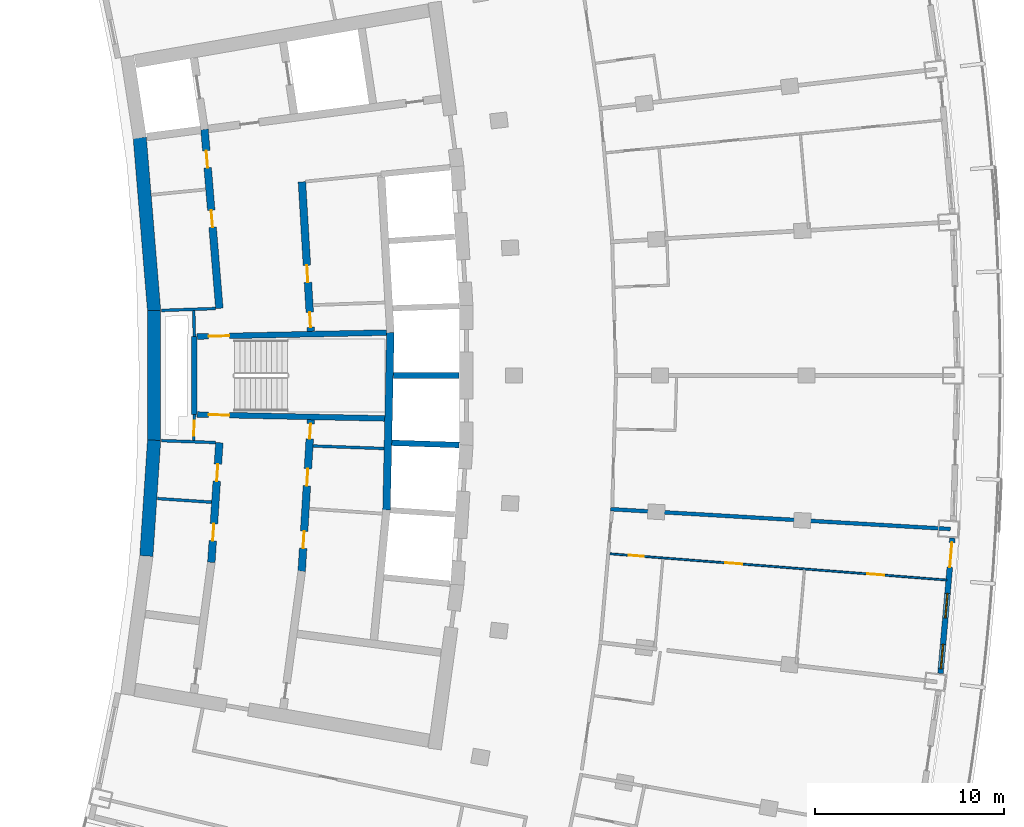
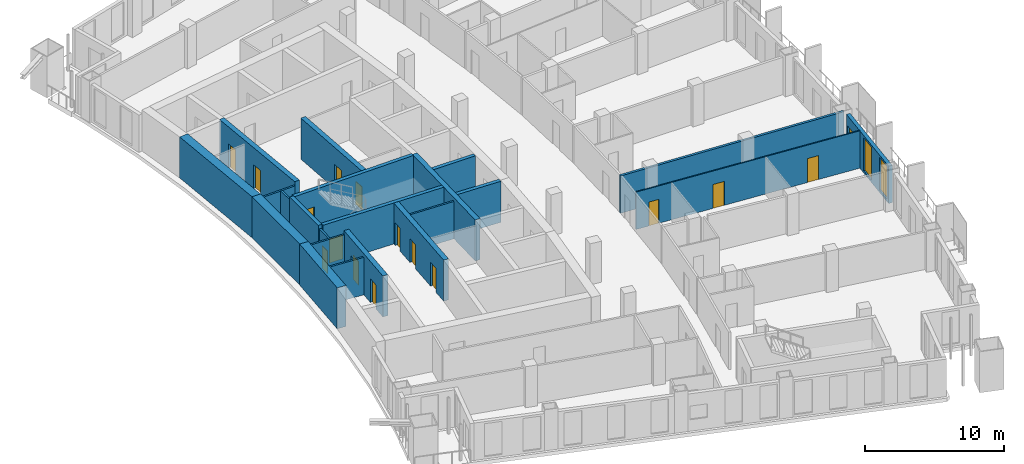
# One storey, part 12 of 19: 22 walls, 16 doors, 2 windows, 18 openings.
"""IFC4 building model written with IfcOpenShell, lengths in metres."""

import ifcopenshell
import ifcopenshell.guid

model = None  # the IFC model being written
_history = None  # IfcOwnerHistory: only IFC2X3 demands one
_inside = {}  # id of a spatial element -> (the spatial element, [elements in it])
_under = {}  # id of a project, library or spatial element -> (it, [spatial elements below it])
_declared = {}  # id of a project -> (the project, [libraries it declares])
_typed = {}  # id of a type object -> (the type object, [elements of that type])
_made_of = {}  # id of a material, layer set ... -> (it, [elements and type objects made of it])


def new_model(schema):
    """Start an empty IFC model of exactly this schema.

    Asked for "IFC4X3", IfcOpenShell would pick the latest addendum, in which some entities
    have other attributes; the version numbers below select the first issue.
    IFC2X3 requires an IfcOwnerHistory on every rooted entity: one is made here for all.
    """
    global model, _history
    if schema == "IFC4X3":
        model = ifcopenshell.file(schema_version=(4, 3, 0, 0))
    else:
        model = ifcopenshell.file(schema=schema)
    _inside.clear()
    _under.clear()
    _declared.clear()
    _typed.clear()
    _made_of.clear()
    _history = None
    if model.schema == "IFC2X3":
        org = make("IfcOrganization", Name="unknown")
        user = make(
            "IfcPersonAndOrganization",
            ThePerson=make("IfcPerson", FamilyName="unknown"),
            TheOrganization=org,
        )
        app = make(
            "IfcApplication",
            ApplicationDeveloper=org,
            Version="unknown",
            ApplicationFullName="unknown",
            ApplicationIdentifier="unknown",
        )
        _history = make(
            "IfcOwnerHistory",
            OwningUser=user,
            OwningApplication=app,
            ChangeAction="ADDED",
            CreationDate=0,
        )
    return model


def make(cls, **values):
    """One entity of the class cls with the attributes given. An attribute that is None is left unset."""
    return model.create_entity(
        cls, **{name: value for name, value in values.items() if value is not None}
    )


def rooted(cls, **values):
    """An entity with a GlobalId (a new one), such as an element, a storey or a relation."""
    return make(cls, GlobalId=ifcopenshell.guid.new(), OwnerHistory=_history, **values)


def si_unit(unit_type, name, prefix=None):
    """IfcSIUnit, for example si_unit("LENGTHUNIT", "METRE", prefix="MILLI")."""
    return make("IfcSIUnit", UnitType=unit_type, Prefix=prefix, Name=name)


def assignment(units):
    """IfcUnitAssignment: the units of a project."""
    return None if units is None else make("IfcUnitAssignment", Units=units)


def point(xyz):
    """IfcCartesianPoint."""
    return None if xyz is None else make("IfcCartesianPoint", Coordinates=xyz)


def direction(xyz):
    """IfcDirection."""
    return None if xyz is None else make("IfcDirection", DirectionRatios=xyz)


def frame(location, z_axis=None, x_axis=None):
    """IfcAxis2Placement3D, a coordinate frame: its origin and axes. An axis left out is left unset."""
    return make(
        "IfcAxis2Placement3D",
        Location=point(location),
        Axis=direction(z_axis),
        RefDirection=direction(x_axis),
    )


def frame_2d(location, x_axis=None):
    """IfcAxis2Placement2D, a coordinate frame in the plane: its origin and x axis."""
    return make(
        "IfcAxis2Placement2D", Location=point(location), RefDirection=direction(x_axis)
    )


def origin():
    """The frame at (0, 0, 0) with its axes left unset."""
    return frame((0.0, 0.0, 0.0))


def place(relative_to, where):
    """IfcLocalPlacement: puts the frame where relative to a parent placement (None: the world)."""
    return make(
        "IfcLocalPlacement", PlacementRelTo=relative_to, RelativePlacement=where
    )


def context(
    kind, dimensions, precision=None, world=None, true_north=None, identifier=None
):
    """IfcGeometricRepresentationContext, for example the 3D "Model" context."""
    return make(
        "IfcGeometricRepresentationContext",
        ContextIdentifier=identifier,
        ContextType=kind,
        CoordinateSpaceDimension=dimensions,
        Precision=precision,
        WorldCoordinateSystem=world,
        TrueNorth=true_north,
    )


def subcontext(parent, identifier, kind, view, scale=None):
    """IfcGeometricRepresentationSubContext, for example "Body" below "Model"."""
    return make(
        "IfcGeometricRepresentationSubContext",
        ContextIdentifier=identifier,
        ContextType=kind,
        ParentContext=parent,
        TargetScale=scale,
        TargetView=view,
    )


def project(units=None, contexts=None):
    """IfcProject with its units and contexts."""
    return rooted(
        "IfcProject",
        Name="project",
        RepresentationContexts=contexts,
        UnitsInContext=assignment(units),
    )


def spatial(cls, under=None, at=None, **own):
    """A site, building, storey or space (cls), placed at a placement, below another one or the project."""
    s = rooted(cls, ObjectPlacement=at, **own)
    if under is not None:
        _under.setdefault(under.id(), (under, []))[1].append(s)
    return s


def profile(cls, at=None, kind="AREA", **sizes):
    """A parametric profile (cls). Its sizes go by their IFC names, for example OverallWidth=200.0."""
    return make(cls, ProfileType=kind, Position=at, **sizes)


def rectangle(**sizes):
    """IfcRectangleProfileDef."""
    return profile("IfcRectangleProfileDef", **sizes)


def extrude(swept, where, along, depth):
    """IfcExtrudedAreaSolid: the profile swept, set in the frame where, extruded along a direction by depth."""
    return make(
        "IfcExtrudedAreaSolid",
        SweptArea=swept,
        Position=where,
        ExtrudedDirection=direction(along),
        Depth=depth,
    )


def shape(context_of_items, identifier, shape_type, items):
    """IfcShapeRepresentation: the items that make up one representation, for example the "Body"."""
    return make(
        "IfcShapeRepresentation",
        ContextOfItems=context_of_items,
        RepresentationIdentifier=identifier,
        RepresentationType=shape_type,
        Items=items,
    )


def material(Name=None, Category=None):
    """IfcMaterial."""
    return make("IfcMaterial", Name=Name, Category=Category)


def layer(
    of_material, thickness, ventilated=None, Name=None, Category=None, Priority=None
):
    """IfcMaterialLayer: one layer of a wall or slab, of a material (None: an air gap)."""
    return make(
        "IfcMaterialLayer",
        Material=of_material,
        LayerThickness=thickness,
        IsVentilated=ventilated,
        Name=Name,
        Category=Category,
        Priority=Priority,
    )


def layer_set(layers, Name=None):
    """IfcMaterialLayerSet."""
    return make("IfcMaterialLayerSet", MaterialLayers=layers, LayerSetName=Name)


def made_of(thing, what):
    """Note that an element or type object is made of a material, layer set ...; save() writes the relation."""
    if what is not None:
        _made_of.setdefault(what.id(), (what, []))[1].append(thing)
    return thing


def type_object(cls, material=None, **own):
    """A type object (cls), such as IfcWallType, which elements share."""
    return made_of(rooted(cls, **own), material)


def element(
    cls,
    number,
    at=None,
    inside=None,
    cuts=None,
    type_object=None,
    material=None,
    context=None,
    identifier="Body",
    shape_type=None,
    held_by="IfcProductDefinitionShape",
    body=None,
    shapes=None,
    **own,
):
    """One element of the class cls, such as IfcWall. Its Tag is "e" and its number.

    at: its placement. inside: the storey or other place that contains it. cuts: it is an
    opening in that element (IfcRelVoidsElement). A single representation is given by context,
    identifier, shape_type and body (its items); several are given by shapes. held_by: the class
    of the entity that holds the representations. save() writes the other relations.
    """
    e = rooted(cls, Tag="e%d" % number, ObjectPlacement=at, **own)
    if body is not None:
        shapes = [shape(context, identifier, shape_type, body)]
    if shapes is not None:
        e.Representation = make(held_by, Representations=shapes)
    if inside is not None:
        _inside.setdefault(inside.id(), (inside, []))[1].append(e)
    if cuts is not None:
        rooted(
            "IfcRelVoidsElement", RelatingBuildingElement=cuts, RelatedOpeningElement=e
        )
    if type_object is not None:
        _typed.setdefault(type_object.id(), (type_object, []))[1].append(e)
    return made_of(e, material)


def fill(opening, filler):
    """IfcRelFillsElement: the door or window that sits in an opening."""
    return rooted(
        "IfcRelFillsElement",
        RelatingOpeningElement=opening,
        RelatedBuildingElement=filler,
    )


def aggregate(whole, parts):
    """IfcRelAggregates: a whole, such as a stair, and the parts it consists of."""
    return rooted("IfcRelAggregates", RelatingObject=whole, RelatedObjects=parts)


def save(model, path):
    """Write the relations noted so far, then the file.

    IfcRelAggregates (storeys below a building ...), IfcRelContainedInSpatialStructure (elements
    in a storey), IfcRelDefinesByType, IfcRelAssociatesMaterial and IfcRelDeclares: one each for
    every whole, place, type object, material and project.
    """
    for whole, parts in _under.values():
        aggregate(whole, parts)
    for where, things in _inside.values():
        rooted(
            "IfcRelContainedInSpatialStructure",
            RelatedElements=things,
            RelatingStructure=where,
        )
    for kind, things in _typed.values():
        rooted("IfcRelDefinesByType", RelatedObjects=things, RelatingType=kind)
    for what, things in _made_of.values():
        rooted("IfcRelAssociatesMaterial", RelatedObjects=things, RelatingMaterial=what)
    for by, libraries in _declared.values():
        rooted("IfcRelDeclares", RelatingContext=by, RelatedDefinitions=libraries)
    model.write(path)


model = new_model("IFC4")

# Units and contexts
model_context = context("Model", 3, precision=1e-05, world=origin(), true_north=direction((0.0, 1.0)))
body_context = subcontext(model_context, "Body", "Model", "MODEL_VIEW")
ifc_project = project(units=[si_unit("LENGTHUNIT", "METRE"), si_unit("AREAUNIT", "SQUARE_METRE"), si_unit("VOLUMEUNIT", "CUBIC_METRE"), si_unit("PLANEANGLEUNIT", "RADIAN"), si_unit("MASSUNIT", "GRAM", prefix="KILO")], contexts=[model_context])

# Site, building, storey
site_placement = place(None, origin())
site = spatial("IfcSite", under=ifc_project, at=site_placement, CompositionType="ELEMENT")
building_placement = place(site_placement, origin())
building = spatial("IfcBuilding", under=site, at=building_placement, Name="Alderwake Tower", CompositionType="ELEMENT")
storey_placement = place(building_placement, frame((0.0, 0.0, 174.800048828125)))
storey = spatial("IfcBuildingStorey", under=building, at=storey_placement, Name="L43", CompositionType="ELEMENT", Elevation=174.800048828125)

# Wall
ifc_material_1 = material(Name="Gypsum shaft wall system, rated")
ifc_layer_1 = layer(ifc_material_1, 0.14990234375)
ifc_layer_set_1 = layer_set([ifc_layer_1], Name="Core riser partition 150")
wall_type_1 = type_object("IfcWallType", Name="Core riser partition 150", PredefinedType="PARTITIONING", material=ifc_layer_set_1)
wall_1_placement = place(storey_placement, frame((25.1904296875, 57.276611328125, 0.0), z_axis=(0.0, 0.0, 1.0), x_axis=(0.99937350076, -0.035392173974, 0.0)))
element("IfcWall", 1, at=wall_1_placement, inside=storey, type_object=wall_type_1, Name="CW/L43/PR-37_+86", PredefinedType="PARTITIONING", context=body_context, shape_type="SweptSolid", body=[
    extrude(rectangle(XDim=3.752685546875, YDim=0.14990234375, at=frame_2d((1.87646484375, 0.0))), origin(), (0.0, 0.0, 1.0), 3.280029296875),
])

# Wall, opening, door
ifc_material_2 = material(Name="Gypsum shaft wall system, rated")
ifc_layer_2 = layer(ifc_material_2, 0.14990234375)
ifc_layer_set_2 = layer_set([ifc_layer_2], Name="Core room partition 150")
wall_type_2 = type_object("IfcWallType", Name="Core room partition 150", PredefinedType="PARTITIONING", material=ifc_layer_set_2)
wall_2_placement = place(storey_placement, frame((18.918701171875, 58.94384765625, 0.0), z_axis=(0.0, 0.0, 1.0), x_axis=(-0.027811602725, -0.999613182563, 0.0)))
wall_2 = element("IfcWall", 2, at=wall_2_placement, inside=storey, type_object=wall_type_2, Name="CW/L43/PA+24_-37", PredefinedType="PARTITIONING", context=body_context, shape_type="SweptSolid", body=[
    extrude(rectangle(XDim=1.369384765625, YDim=0.14990234375, at=frame_2d((0.6845703125, 0.0))), origin(), (0.0, 0.0, 1.0), 3.280029296875),
])
opening_1_placement = place(wall_2_placement, frame((0.322998046875, 0.0, 0.0)))
opening_1 = element("IfcOpeningElement", 3, at=opening_1_placement, cuts=wall_2, Name="Opening C004", PredefinedType="OPENING", context=body_context, shape_type="SweptSolid", body=[
    extrude(rectangle(XDim=0.800048828125, YDim=2.0, at=frame_2d((0.39990234375, 1.0))), frame((0.0, 0.0849609375, 0.0), z_axis=(0.0, -1.0, 0.0), x_axis=(1.0, 0.0, 0.0)), (0.0, 0.0, 1.0), 0.169921875),
])
ifc_material_3 = material(Name="Painted steel leaf, rated", Category="steel")
door_type_1 = type_object("IfcDoorType", Name="Riser access door 800", OperationType="SINGLE_SWING_LEFT", PredefinedType="DOOR", material=ifc_material_3)
door_1_placement = place(opening_1_placement, origin())
door_1 = element("IfcDoor", 4, at=door_1_placement, inside=storey, type_object=door_type_1, Name="Riser access door", OperationType="SINGLE_SWING_RIGHT", OverallHeight=2.0, OverallWidth=0.800048828125, PredefinedType="DOOR", context=body_context, shape_type="SweptSolid", body=[
    extrude(rectangle(XDim=0.800048828125, YDim=2.0, at=frame_2d((0.39990234375, 1.0))), frame((0.0, 0.02490234375, 0.0), z_axis=(0.0, -1.0, 0.0), x_axis=(1.0, 0.0, 0.0)), (0.0, 0.0, 1.0), 0.050048828125),
])
fill(opening_1, door_1)

# Walls
wall_3_placement = place(storey_placement, frame((18.918701171875, 63.05517578125, 0.0), z_axis=(0.0, 0.0, 1.0), x_axis=(-0.027791791559, 0.99961373356, 0.0)))
element("IfcWall", 5, at=wall_3_placement, inside=storey, type_object=wall_type_2, Name="CW/L43/PA+24_+22", PredefinedType="PARTITIONING", context=body_context, shape_type="SweptSolid", body=[
    extrude(rectangle(XDim=1.370361328125, YDim=0.14990234375, at=frame_2d((0.68505859375, 0.0))), origin(), (0.0, 0.0, 1.0), 3.280029296875),
])
wall_4_placement = place(storey_placement, frame((16.964111328125, 54.49951171875, 0.0), z_axis=(0.0, 0.0, 1.0), x_axis=(0.997759473015, -0.066903168895, 0.0)))
element("IfcWall", 6, at=wall_4_placement, inside=storey, type_object=wall_type_2, Name="CW/L43/PR-70_+0", PredefinedType="PARTITIONING", context=body_context, shape_type="SweptSolid", body=[
    extrude(rectangle(XDim=2.8681640625, YDim=0.14990234375, at=frame_2d((1.43408203125, 0.0))), origin(), (0.0, 0.0, 1.0), 3.280029296875),
])
wall_5_placement = place(storey_placement, frame((17.169189453125, 57.560546875, 0.0), z_axis=(0.0, 0.0, 1.0), x_axis=(0.999373538371, -0.03539111194, 0.0)))
element("IfcWall", 7, at=wall_5_placement, inside=storey, type_object=wall_type_2, Name="CW/L43/PR-37_+0", PredefinedType="PARTITIONING", context=body_context, shape_type="SweptSolid", body=[
    extrude(rectangle(XDim=2.86962890625, YDim=0.14990234375, at=frame_2d((1.434814453125, 0.0))), origin(), (0.0, 0.0, 1.0), 3.280029296875),
])
wall_6_placement = place(storey_placement, frame((17.16943359375, 64.439453125, 0.0), z_axis=(0.0, 0.0, 1.0), x_axis=(0.999373431798, 0.035394121201, 0.0)))
element("IfcWall", 8, at=wall_6_placement, inside=storey, type_object=wall_type_2, Name="CW/L43/PR+37_+0", PredefinedType="PARTITIONING", context=body_context, shape_type="SweptSolid", body=[
    extrude(rectangle(XDim=2.869384765625, YDim=0.14990234375, at=frame_2d((1.4345703125, 0.0))), origin(), (0.0, 0.0, 1.0), 3.280029296875),
])
ifc_material_4 = material(Name="Concrete C70/85", Category="concrete")
ifc_layer_3 = layer(ifc_material_4, 0.699951171875)
ifc_layer_set_3 = layer_set([ifc_layer_3], Name="Core wall outer 700 C70-85")
wall_type_3 = type_object("IfcWallType", Name="Core wall outer 700 C70-85", PredefinedType="SHEAR", material=ifc_layer_set_3)
wall_7_placement = place(storey_placement, frame((16.379638671875, 51.46337890625, 0.0), z_axis=(0.0, 0.0, 1.0), x_axis=(0.066917731608, 0.997758496429, 0.0)))
element("IfcWall", 9, at=wall_7_placement, inside=storey, type_object=wall_type_3, Name="Core wall CW.041", PredefinedType="SHEAR", context=body_context, shape_type="SweptSolid", body=[
    extrude(rectangle(XDim=6.136474609375, YDim=0.699951171875, at=frame_2d((3.068359375, 0.0))), origin(), (0.0, 0.0, 1.0), 3.599853515625),
])
wall_8_placement = place(storey_placement, frame((16.789306640625, 57.561767578125, 0.0), z_axis=(0.0, 0.0, 1.0), x_axis=(0.0, 1.0, 0.0)))
element("IfcWall", 10, at=wall_8_placement, inside=storey, type_object=wall_type_3, Name="Core wall CW.043", PredefinedType="SHEAR", context=body_context, shape_type="SweptSolid", body=[
    extrude(rectangle(XDim=6.87939453125, YDim=0.699951171875, at=frame_2d((3.439697265625, 0.0))), origin(), (0.0, 0.0, 1.0), 3.599853515625),
])
wall_9_placement = place(storey_placement, frame((16.79052734375, 64.4111328125, 0.0), z_axis=(0.0, 0.0, 1.0), x_axis=(-0.082616907099, 0.996581379849, 0.0)))
element("IfcWall", 11, at=wall_9_placement, inside=storey, type_object=wall_type_3, Name="Core wall CW.040", PredefinedType="SHEAR", context=body_context, shape_type="SweptSolid", body=[
    extrude(rectangle(XDim=9.193359375, YDim=0.699951171875, at=frame_2d((4.5966796875, 0.0))), origin(), (0.0, 0.0, 1.0), 3.599853515625),
])
ifc_material_5 = material(Name="Concrete C70/85", Category="concrete")
ifc_layer_4 = layer(ifc_material_5, 0.300048828125)
ifc_layer_set_4 = layer_set([ifc_layer_4], Name="Core wall shaft 300 C70-85")
wall_type_4 = type_object("IfcWallType", Name="Core wall shaft 300 C70-85", PredefinedType="SHEAR", material=ifc_layer_set_4)
wall_10_placement = place(storey_placement, frame((29.347412109375, 57.443603515625, 0.0), z_axis=(0.0, 0.0, 1.0), x_axis=(0.999470674121, -0.03253262319, 0.0)))
element("IfcWall", 12, at=wall_10_placement, inside=storey, type_object=wall_type_4, Name="Core wall CW.075", PredefinedType="SHEAR", context=body_context, shape_type="SweptSolid", body=[
    extrude(rectangle(XDim=3.564697265625, YDim=0.300048828125, at=frame_2d((1.7822265625, 0.0))), origin(), (0.0, 0.0, 1.0), 3.599853515625),
])
wall_11_placement = place(storey_placement, frame((29.426025390625, 61.0, 0.0), z_axis=(0.0, 0.0, 1.0), x_axis=(1.0, 0.0, 0.0)))
element("IfcWall", 13, at=wall_11_placement, inside=storey, type_object=wall_type_4, Name="Core wall CW.048", PredefinedType="SHEAR", context=body_context, shape_type="SweptSolid", body=[
    extrude(rectangle(XDim=3.484130859375, YDim=0.300048828125, at=frame_2d((1.7421875, 0.0))), origin(), (0.0, 0.0, 1.0), 3.599853515625),
])

# Wall, openings, doors
ifc_material_6 = material(Name="Concrete C70/85", Category="concrete")
ifc_layer_5 = layer(ifc_material_6, 0.39990234375)
ifc_layer_set_5 = layer_set([ifc_layer_5], Name="Core wall spine 400 C70-85")
wall_type_5 = type_object("IfcWallType", Name="Core wall spine 400 C70-85", PredefinedType="SHEAR", material=ifc_layer_set_5)
wall_12_placement = place(storey_placement, frame((20.2373046875, 57.451904296875, 0.0), z_axis=(0.0, 0.0, 1.0), x_axis=(-0.066887252767, -0.997760540118, 0.0)))
wall_12 = element("IfcWall", 14, at=wall_12_placement, inside=storey, type_object=wall_type_5, Name="Core wall CW.032", PredefinedType="SHEAR", context=body_context, shape_type="SweptSolid", body=[
    extrude(rectangle(XDim=6.33642578125, YDim=0.39990234375, at=frame_2d((3.168212890625, 0.0))), origin(), (0.0, 0.0, 1.0), 3.599853515625),
])
opening_2_placement = place(wall_12_placement, frame((4.29736328125, 0.0, 0.0)))
opening_2 = element("IfcOpeningElement", 15, at=opening_2_placement, cuts=wall_12, Name="Opening C038", PredefinedType="OPENING", context=body_context, shape_type="SweptSolid", body=[
    extrude(rectangle(XDim=0.89990234375, YDim=2.10009765625, at=frame_2d((0.449951171875, 1.050048828125))), frame((0.0, 0.2099609375, 0.0), z_axis=(0.0, -1.0, 0.0), x_axis=(1.0, 0.0, 0.0)), (0.0, 0.0, 1.0), 0.419921875),
])
opening_3_placement = place(wall_12_placement, frame((1.132080078125, 0.0, 0.0)))
opening_3 = element("IfcOpeningElement", 16, at=opening_3_placement, cuts=wall_12, Name="Opening C042", PredefinedType="OPENING", context=body_context, shape_type="SweptSolid", body=[
    extrude(rectangle(XDim=0.89990234375, YDim=2.10009765625, at=frame_2d((0.449951171875, 1.050048828125))), frame((0.0, 0.2099609375, 0.0), z_axis=(0.0, -1.0, 0.0), x_axis=(1.0, 0.0, 0.0)), (0.0, 0.0, 1.0), 0.419921875),
])
ifc_material_7 = material(Name="Painted steel leaf", Category="steel")
door_type_2 = type_object("IfcDoorType", Name="Core room door 900", OperationType="SINGLE_SWING_LEFT", PredefinedType="DOOR", material=ifc_material_7)
door_2_placement = place(opening_2_placement, origin())
door_2 = element("IfcDoor", 17, at=door_2_placement, inside=storey, type_object=door_type_2, Name="Room door", OperationType="SINGLE_SWING_RIGHT", OverallHeight=2.10009765625, OverallWidth=0.89990234375, PredefinedType="DOOR", context=body_context, shape_type="SweptSolid", body=[
    extrude(rectangle(XDim=0.89990234375, YDim=2.10009765625, at=frame_2d((0.449951171875, 1.050048828125))), frame((0.0, 0.02490234375, 0.0), z_axis=(0.0, -1.0, 0.0), x_axis=(1.0, 0.0, 0.0)), (0.0, 0.0, 1.0), 0.050048828125),
])
fill(opening_2, door_2)
door_3_placement = place(opening_3_placement, origin())
door_3 = element("IfcDoor", 18, at=door_3_placement, inside=storey, type_object=door_type_2, Name="Room door", OperationType="SINGLE_SWING_LEFT", OverallHeight=2.10009765625, OverallWidth=0.89990234375, PredefinedType="DOOR", context=body_context, shape_type="SweptSolid", body=[
    extrude(rectangle(XDim=0.89990234375, YDim=2.10009765625, at=frame_2d((0.449951171875, 1.050048828125))), frame((0.0, 0.02490234375, 0.0), z_axis=(0.0, -1.0, 0.0), x_axis=(1.0, 0.0, 0.0)), (0.0, 0.0, 1.0), 0.050048828125),
])
fill(opening_3, door_3)

wall_13_placement = place(storey_placement, frame((19.452392578125, 74.014892578125, 0.0), z_axis=(0.0, 0.0, 1.0), x_axis=(0.082628585297, -0.996580411654, 0.0)))
wall_13 = element("IfcWall", 19, at=wall_13_placement, inside=storey, type_object=wall_type_5, Name="Core wall CW.031", PredefinedType="SHEAR", context=body_context, shape_type="SweptSolid", body=[
    extrude(rectangle(XDim=9.499267578125, YDim=0.39990234375, at=frame_2d((4.74951171875, 0.0))), origin(), (0.0, 0.0, 1.0), 3.599853515625),
])
opening_4_placement = place(wall_13_placement, frame((4.302978515625, 0.0, 0.0)))
opening_4 = element("IfcOpeningElement", 20, at=opening_4_placement, cuts=wall_13, Name="Opening C052", PredefinedType="OPENING", context=body_context, shape_type="SweptSolid", body=[
    extrude(rectangle(XDim=0.89990234375, YDim=2.10009765625, at=frame_2d((0.449951171875, 1.050048828125))), frame((0.0, 0.2099609375, 0.0), z_axis=(0.0, -1.0, 0.0), x_axis=(1.0, 0.0, 0.0)), (0.0, 0.0, 1.0), 0.419921875),
])
opening_5_placement = place(wall_13_placement, frame((1.138427734375, 0.0, 0.0)))
opening_5 = element("IfcOpeningElement", 21, at=opening_5_placement, cuts=wall_13, Name="Opening C056", PredefinedType="OPENING", context=body_context, shape_type="SweptSolid", body=[
    extrude(rectangle(XDim=0.89990234375, YDim=2.10009765625, at=frame_2d((0.449951171875, 1.050048828125))), frame((0.0, 0.2099609375, 0.0), z_axis=(0.0, -1.0, 0.0), x_axis=(1.0, 0.0, 0.0)), (0.0, 0.0, 1.0), 0.419921875),
])
door_4_placement = place(opening_4_placement, origin())
door_4 = element("IfcDoor", 22, at=door_4_placement, inside=storey, type_object=door_type_2, Name="Room door", OperationType="SINGLE_SWING_LEFT", OverallHeight=2.10009765625, OverallWidth=0.89990234375, PredefinedType="DOOR", context=body_context, shape_type="SweptSolid", body=[
    extrude(rectangle(XDim=0.89990234375, YDim=2.10009765625, at=frame_2d((0.449951171875, 1.050048828125))), frame((0.0, 0.02490234375, 0.0), z_axis=(0.0, -1.0, 0.0), x_axis=(1.0, 0.0, 0.0)), (0.0, 0.0, 1.0), 0.050048828125),
])
fill(opening_4, door_4)
door_5_placement = place(opening_5_placement, origin())
door_5 = element("IfcDoor", 23, at=door_5_placement, inside=storey, type_object=door_type_2, Name="Room door", OperationType="SINGLE_SWING_RIGHT", OverallHeight=2.10009765625, OverallWidth=0.89990234375, PredefinedType="DOOR", context=body_context, shape_type="SweptSolid", body=[
    extrude(rectangle(XDim=0.89990234375, YDim=2.10009765625, at=frame_2d((0.449951171875, 1.050048828125))), frame((0.0, 0.02490234375, 0.0), z_axis=(0.0, -1.0, 0.0), x_axis=(1.0, 0.0, 0.0)), (0.0, 0.0, 1.0), 0.050048828125),
])
fill(opening_5, door_5)

wall_14_placement = place(storey_placement, frame((24.590087890625, 50.656982421875, 0.0), z_axis=(0.0, 0.0, 1.0), x_axis=(0.060320473855, 0.99817906231, 0.0)))
wall_14 = element("IfcWall", 24, at=wall_14_placement, inside=storey, type_object=wall_type_5, Name="Core wall CW.046", PredefinedType="SHEAR", context=body_context, shape_type="SweptSolid", body=[
    extrude(rectangle(XDim=8.02197265625, YDim=0.39990234375, at=frame_2d((4.010986328125, 0.0))), origin(), (0.0, 0.0, 1.0), 3.599853515625),
])
opening_6_placement = place(wall_14_placement, frame((7.005859375, 0.0, 0.0)))
opening_6 = element("IfcOpeningElement", 25, at=opening_6_placement, cuts=wall_14, Name="Opening C006", PredefinedType="OPENING", context=body_context, shape_type="SweptSolid", body=[
    extrude(rectangle(XDim=0.800048828125, YDim=2.0, at=frame_2d((0.39990234375, 1.0))), frame((0.0, 0.2099609375, 0.0), z_axis=(0.0, -1.0, 0.0), x_axis=(1.0, 0.0, 0.0)), (0.0, 0.0, 1.0), 0.419921875),
])
opening_7_placement = place(wall_14_placement, frame((1.21533203125, 0.0, 0.0)))
opening_7 = element("IfcOpeningElement", 26, at=opening_7_placement, cuts=wall_14, Name="Opening C044", PredefinedType="OPENING", context=body_context, shape_type="SweptSolid", body=[
    extrude(rectangle(XDim=0.89990234375, YDim=2.10009765625, at=frame_2d((0.449951171875, 1.050048828125))), frame((0.0, 0.2099609375, 0.0), z_axis=(0.0, -1.0, 0.0), x_axis=(1.0, 0.0, 0.0)), (0.0, 0.0, 1.0), 0.419921875),
])
opening_8_placement = place(wall_14_placement, frame((4.53173828125, 0.0, 0.0)))
opening_8 = element("IfcOpeningElement", 27, at=opening_8_placement, cuts=wall_14, Name="Opening C048", PredefinedType="OPENING", context=body_context, shape_type="SweptSolid", body=[
    extrude(rectangle(XDim=0.89990234375, YDim=2.10009765625, at=frame_2d((0.449951171875, 1.050048828125))), frame((0.0, 0.2099609375, 0.0), z_axis=(0.0, -1.0, 0.0), x_axis=(1.0, 0.0, 0.0)), (0.0, 0.0, 1.0), 0.419921875),
])
door_6_placement = place(opening_7_placement, origin())
door_6 = element("IfcDoor", 28, at=door_6_placement, inside=storey, type_object=door_type_2, Name="Room door", OperationType="SINGLE_SWING_RIGHT", OverallHeight=2.10009765625, OverallWidth=0.89990234375, PredefinedType="DOOR", context=body_context, shape_type="SweptSolid", body=[
    extrude(rectangle(XDim=0.89990234375, YDim=2.10009765625, at=frame_2d((0.449951171875, 1.050048828125))), frame((0.0, 0.02490234375, 0.0), z_axis=(0.0, -1.0, 0.0), x_axis=(1.0, 0.0, 0.0)), (0.0, 0.0, 1.0), 0.050048828125),
])
fill(opening_7, door_6)
door_7_placement = place(opening_8_placement, origin())
door_7 = element("IfcDoor", 29, at=door_7_placement, inside=storey, type_object=door_type_2, Name="Room door", OperationType="SINGLE_SWING_LEFT", OverallHeight=2.10009765625, OverallWidth=0.89990234375, PredefinedType="DOOR", context=body_context, shape_type="SweptSolid", body=[
    extrude(rectangle(XDim=0.89990234375, YDim=2.10009765625, at=frame_2d((0.449951171875, 1.050048828125))), frame((0.0, 0.02490234375, 0.0), z_axis=(0.0, -1.0, 0.0), x_axis=(1.0, 0.0, 0.0)), (0.0, 0.0, 1.0), 0.050048828125),
])
fill(opening_8, door_7)
door_8_placement = place(opening_6_placement, origin())
door_8 = element("IfcDoor", 30, at=door_8_placement, inside=storey, type_object=door_type_1, Name="Riser access door", OperationType="SINGLE_SWING_RIGHT", OverallHeight=2.0, OverallWidth=0.800048828125, PredefinedType="DOOR", context=body_context, shape_type="SweptSolid", body=[
    extrude(rectangle(XDim=0.800048828125, YDim=2.0, at=frame_2d((0.39990234375, 1.0))), frame((0.0, 0.02490234375, 0.0), z_axis=(0.0, -1.0, 0.0), x_axis=(1.0, 0.0, 0.0)), (0.0, 0.0, 1.0), 0.050048828125),
])
fill(opening_6, door_8)

wall_15_placement = place(storey_placement, frame((25.073974609375, 63.335693359375, 0.0), z_axis=(0.0, 0.0, 1.0), x_axis=(-0.059848641072, 0.998207463487, 0.0)))
wall_15 = element("IfcWall", 31, at=wall_15_placement, inside=storey, type_object=wall_type_5, Name="Core wall CW.045", PredefinedType="SHEAR", context=body_context, shape_type="SweptSolid", body=[
    extrude(rectangle(XDim=7.913818359375, YDim=0.39990234375, at=frame_2d((3.95703125, 0.0))), origin(), (0.0, 0.0, 1.0), 3.599853515625),
])
opening_9_placement = place(wall_15_placement, frame((0.216064453125, 0.0, 0.0)))
opening_9 = element("IfcOpeningElement", 32, at=opening_9_placement, cuts=wall_15, Name="Opening C005", PredefinedType="OPENING", context=body_context, shape_type="SweptSolid", body=[
    extrude(rectangle(XDim=0.800048828125, YDim=2.0, at=frame_2d((0.39990234375, 1.0))), frame((0.0, 0.2099609375, 0.0), z_axis=(0.0, -1.0, 0.0), x_axis=(1.0, 0.0, 0.0)), (0.0, 0.0, 1.0), 0.419921875),
])
opening_10_placement = place(wall_15_placement, frame((2.590087890625, 0.0, 0.0)))
opening_10 = element("IfcOpeningElement", 33, at=opening_10_placement, cuts=wall_15, Name="Opening C057", PredefinedType="OPENING", context=body_context, shape_type="SweptSolid", body=[
    extrude(rectangle(XDim=0.89990234375, YDim=2.10009765625, at=frame_2d((0.449951171875, 1.050048828125))), frame((0.0, 0.2099609375, 0.0), z_axis=(0.0, -1.0, 0.0), x_axis=(1.0, 0.0, 0.0)), (0.0, 0.0, 1.0), 0.419921875),
])
door_9_placement = place(opening_10_placement, origin())
door_9 = element("IfcDoor", 34, at=door_9_placement, inside=storey, type_object=door_type_2, Name="Room door", OperationType="SINGLE_SWING_LEFT", OverallHeight=2.10009765625, OverallWidth=0.89990234375, PredefinedType="DOOR", context=body_context, shape_type="SweptSolid", body=[
    extrude(rectangle(XDim=0.89990234375, YDim=2.10009765625, at=frame_2d((0.449951171875, 1.050048828125))), frame((0.0, 0.02490234375, 0.0), z_axis=(0.0, -1.0, 0.0), x_axis=(1.0, 0.0, 0.0)), (0.0, 0.0, 1.0), 0.050048828125),
])
fill(opening_10, door_9)
door_10_placement = place(opening_9_placement, origin())
door_10 = element("IfcDoor", 35, at=door_10_placement, inside=storey, type_object=door_type_1, Name="Riser access door", OperationType="SINGLE_SWING_LEFT", OverallHeight=2.0, OverallWidth=0.800048828125, PredefinedType="DOOR", context=body_context, shape_type="SweptSolid", body=[
    extrude(rectangle(XDim=0.800048828125, YDim=2.0, at=frame_2d((0.39990234375, 1.0))), frame((0.0, 0.02490234375, 0.0), z_axis=(0.0, -1.0, 0.0), x_axis=(1.0, 0.0, 0.0)), (0.0, 0.0, 1.0), 0.050048828125),
])
fill(opening_9, door_10)

# Walls
wall_16_placement = place(storey_placement, frame((29.06884765625, 53.8896484375, 0.0), z_axis=(0.0, 0.0, 1.0), x_axis=(0.022115722908, 0.99975541749, 0.0)))
element("IfcWall", 36, at=wall_16_placement, inside=storey, type_object=wall_type_5, Name="Core wall CW.008", PredefinedType="SHEAR", context=body_context, shape_type="SweptSolid", body=[
    extrude(rectangle(XDim=9.394287109375, YDim=0.39990234375, at=frame_2d((4.697265625, 0.0))), origin(), (0.0, 0.0, 1.0), 3.599853515625),
])
ifc_material_8 = material(Name="Concrete C70/85", Category="concrete")
ifc_layer_6 = layer(ifc_material_8, 0.300048828125)
ifc_layer_set_6 = layer_set([ifc_layer_6], Name="Core wall stair enclosure 300 C70-85")
wall_type_6 = type_object("IfcWallType", Name="Core wall stair enclosure 300 C70-85", PredefinedType="SHEAR", material=ifc_layer_set_6)
wall_17_placement = place(storey_placement, frame((18.918701171875, 58.940673828125, 0.0), z_axis=(0.0, 0.0, 1.0), x_axis=(0.0, 1.0, 0.0)))
element("IfcWall", 37, at=wall_17_placement, inside=storey, type_object=wall_type_6, Name="Core wall CW.024", PredefinedType="SHEAR", context=body_context, shape_type="SweptSolid", body=[
    extrude(rectangle(XDim=4.11962890625, YDim=0.300048828125, at=frame_2d((2.059814453125, 0.0))), origin(), (0.0, 0.0, 1.0), 3.599853515625),
])

# Wall, opening, door
wall_18_placement = place(storey_placement, frame((28.975830078125, 58.733154296875, 0.0), z_axis=(0.0, 0.0, 1.0), x_axis=(-0.999783782948, 0.020793925895, 0.0)))
wall_18 = element("IfcWall", 38, at=wall_18_placement, inside=storey, type_object=wall_type_6, Name="Core wall CW.074", PredefinedType="SHEAR", context=body_context, shape_type="SweptSolid", body=[
    extrude(rectangle(XDim=9.909423828125, YDim=0.300048828125, at=frame_2d((4.95458984375, 0.0))), origin(), (0.0, 0.0, 1.0), 3.599853515625),
])
opening_11_placement = place(wall_18_placement, frame((8.20947265625, 0.0, 0.0)))
opening_11 = element("IfcOpeningElement", 39, at=opening_11_placement, cuts=wall_18, Name="Opening C063", PredefinedType="OPENING", context=body_context, shape_type="SweptSolid", body=[
    extrude(rectangle(XDim=1.10009765625, YDim=2.10009765625, at=frame_2d((0.550048828125, 1.050048828125))), frame((0.0, 0.159912109375, 0.0), z_axis=(0.0, -1.0, 0.0), x_axis=(1.0, 0.0, 0.0)), (0.0, 0.0, 1.0), 0.320068359375),
])
ifc_material_9 = material(Name="Steel-framed fire door leaf", Category="steel")
door_type_3 = type_object("IfcDoorType", Name="Core stair door 1100 fire-rated", OperationType="SINGLE_SWING_LEFT", PredefinedType="DOOR", material=ifc_material_9)
door_11_placement = place(opening_11_placement, origin())
door_11 = element("IfcDoor", 40, at=door_11_placement, inside=storey, type_object=door_type_3, Name="Stair door", OperationType="SINGLE_SWING_LEFT", OverallHeight=2.10009765625, OverallWidth=1.10009765625, PredefinedType="DOOR", context=body_context, shape_type="SweptSolid", body=[
    extrude(rectangle(XDim=1.10009765625, YDim=2.10009765625, at=frame_2d((0.550048828125, 1.050048828125))), frame((0.0, 0.02490234375, 0.0), z_axis=(0.0, -1.0, 0.0), x_axis=(1.0, 0.0, 0.0)), (0.0, 0.0, 1.0), 0.050048828125),
])
fill(opening_11, door_11)

wall_19_placement = place(storey_placement, frame((19.068603515625, 63.060791015625, 0.0), z_axis=(0.0, 0.0, 1.0), x_axis=(0.999783553773, 0.02080494185, 0.0)))
wall_19 = element("IfcWall", 41, at=wall_19_placement, inside=storey, type_object=wall_type_6, Name="Core wall CW.057", PredefinedType="SHEAR", context=body_context, shape_type="SweptSolid", body=[
    extrude(rectangle(XDim=10.009765625, YDim=0.300048828125, at=frame_2d((5.0048828125, 0.0))), origin(), (0.0, 0.0, 1.0), 3.599853515625),
])
opening_12_placement = place(wall_19_placement, frame((0.60009765625, 0.0, 0.0)))
opening_12 = element("IfcOpeningElement", 42, at=opening_12_placement, cuts=wall_19, Name="Opening C064", PredefinedType="OPENING", context=body_context, shape_type="SweptSolid", body=[
    extrude(rectangle(XDim=1.10009765625, YDim=2.10009765625, at=frame_2d((0.550048828125, 1.050048828125))), frame((0.0, 0.159912109375, 0.0), z_axis=(0.0, -1.0, 0.0), x_axis=(1.0, 0.0, 0.0)), (0.0, 0.0, 1.0), 0.320068359375),
])
door_12_placement = place(opening_12_placement, origin())
door_12 = element("IfcDoor", 43, at=door_12_placement, inside=storey, type_object=door_type_3, Name="Stair door", OperationType="SINGLE_SWING_RIGHT", OverallHeight=2.10009765625, OverallWidth=1.10009765625, PredefinedType="DOOR", context=body_context, shape_type="SweptSolid", body=[
    extrude(rectangle(XDim=1.10009765625, YDim=2.10009765625, at=frame_2d((0.550048828125, 1.050048828125))), frame((0.0, 0.02490234375, 0.0), z_axis=(0.0, -1.0, 0.0), x_axis=(1.0, 0.0, 0.0)), (0.0, 0.0, 1.0), 0.050048828125),
])
fill(opening_12, door_12)

# Wall, openings, door, windows
ifc_material_10 = material(Name="Precast concrete C50/60 spandrel panel", Category="concrete")
ifc_layer_7 = layer(ifc_material_10, 0.300048828125)
ifc_layer_set_7 = layer_set([ifc_layer_7], Name="External wall EW1 Precast concrete C50/60 spandrel")
wall_type_7 = type_object("IfcWallType", Name="External wall EW1 Precast concrete C50/60 spandrel", PredefinedType="SOLIDWALL", material=ifc_layer_set_7)
wall_20_placement = place(storey_placement, frame((58.3447265625, 45.26220703125, 0.0), z_axis=(0.0, 0.0, 1.0), x_axis=(0.087372493124, 0.99617571113, 0.0)))
wall_20 = element("IfcWall", 44, at=wall_20_placement, inside=storey, type_object=wall_type_7, Name="External wall 14", PredefinedType="SOLIDWALL", context=body_context, shape_type="SweptSolid", body=[
    extrude(rectangle(XDim=7.175537109375, YDim=0.300048828125, at=frame_2d((3.587890625, 0.0))), origin(), (0.0, 0.0, 1.0), 3.280029296875),
])
opening_13_placement = place(wall_20_placement, frame((0.2353515625, 0.0, 0.199951171875)))
opening_13 = element("IfcOpeningElement", 45, at=opening_13_placement, cuts=wall_20, Name="Opening W1", PredefinedType="OPENING", context=body_context, shape_type="SweptSolid", body=[
    extrude(rectangle(XDim=1.300048828125, YDim=2.89990234375, at=frame_2d((0.64990234375, 1.449951171875))), frame((0.0, 0.159912109375, 0.0), z_axis=(0.0, -1.0, 0.0), x_axis=(1.0, 0.0, 0.0)), (0.0, 0.0, 1.0), 0.320068359375),
])
opening_14_placement = place(wall_20_placement, frame((2.937744140625, 0.0, 0.199951171875)))
opening_14 = element("IfcOpeningElement", 46, at=opening_14_placement, cuts=wall_20, Name="Opening W1", PredefinedType="OPENING", context=body_context, shape_type="SweptSolid", body=[
    extrude(rectangle(XDim=1.300048828125, YDim=2.89990234375, at=frame_2d((0.64990234375, 1.449951171875))), frame((0.0, 0.159912109375, 0.0), z_axis=(0.0, -1.0, 0.0), x_axis=(1.0, 0.0, 0.0)), (0.0, 0.0, 1.0), 0.320068359375),
])
opening_15_placement = place(wall_20_placement, frame((5.64013671875, 0.0, 0.0)))
opening_15 = element("IfcOpeningElement", 47, at=opening_15_placement, cuts=wall_20, Name="Opening D03", PredefinedType="OPENING", context=body_context, shape_type="SweptSolid", body=[
    extrude(rectangle(XDim=1.300048828125, YDim=2.39990234375, at=frame_2d((0.64990234375, 1.199951171875))), frame((0.0, 0.159912109375, 0.0), z_axis=(0.0, -1.0, 0.0), x_axis=(1.0, 0.0, 0.0)), (0.0, 0.0, 1.0), 0.320068359375),
])
ifc_material_11 = material(Name="Bronze tinted glass in aluminium frame", Category="aluminium")
door_type_4 = type_object("IfcDoorType", Name="Balcony door BD sliding", OperationType="SLIDING_TO_LEFT", PredefinedType="DOOR", material=ifc_material_11)
door_13_placement = place(opening_15_placement, origin())
door_13 = element("IfcDoor", 48, at=door_13_placement, inside=storey, type_object=door_type_4, Name="Door D03", OperationType="SLIDING_TO_LEFT", OverallHeight=2.39990234375, OverallWidth=1.300048828125, PredefinedType="DOOR", context=body_context, shape_type="SweptSolid", body=[
    extrude(rectangle(XDim=1.300048828125, YDim=2.39990234375, at=frame_2d((0.64990234375, 1.199951171875))), frame((0.0, 0.02490234375, 0.0), z_axis=(0.0, -1.0, 0.0), x_axis=(1.0, 0.0, 0.0)), (0.0, 0.0, 1.0), 0.050048828125),
])
fill(opening_15, door_13)
ifc_material_12 = material(Name="Bronze tinted glass in aluminium frame", Category="aluminium")
window_type = type_object("IfcWindowType", Name="Window W1 tall fixed and vent", PartitioningType="DOUBLE_PANEL_VERTICAL", PredefinedType="WINDOW", material=ifc_material_12)
window_1_placement = place(opening_13_placement, origin())
window_1 = element("IfcWindow", 49, at=window_1_placement, inside=storey, type_object=window_type, Name="Window W1 tall fixed and vent", OverallHeight=2.89990234375, OverallWidth=1.300048828125, PartitioningType="DOUBLE_PANEL_VERTICAL", PredefinedType="WINDOW", context=body_context, shape_type="SweptSolid", body=[
    extrude(rectangle(XDim=1.300048828125, YDim=2.89990234375, at=frame_2d((0.64990234375, 1.449951171875))), frame((0.0, 0.030029296875, 0.0), z_axis=(0.0, -1.0, 0.0), x_axis=(1.0, 0.0, 0.0)), (0.0, 0.0, 1.0), 0.06005859375),
])
fill(opening_13, window_1)
window_2_placement = place(opening_14_placement, origin())
window_2 = element("IfcWindow", 50, at=window_2_placement, inside=storey, type_object=window_type, Name="Window W1 tall fixed and vent", OverallHeight=2.89990234375, OverallWidth=1.300048828125, PartitioningType="DOUBLE_PANEL_VERTICAL", PredefinedType="WINDOW", context=body_context, shape_type="SweptSolid", body=[
    extrude(rectangle(XDim=1.300048828125, YDim=2.89990234375, at=frame_2d((0.64990234375, 1.449951171875))), frame((0.0, 0.030029296875, 0.0), z_axis=(0.0, -1.0, 0.0), x_axis=(1.0, 0.0, 0.0)), (0.0, 0.0, 1.0), 0.06005859375),
])
fill(opening_14, window_2)

# Wall
ifc_material_13 = material(Name="Dense block masonry wall", Category="masonry")
ifc_layer_8 = layer(ifc_material_13, 0.199951171875)
ifc_layer_set_8 = layer_set([ifc_layer_8], Name="Party wall 200")
wall_type_8 = type_object("IfcWallType", Name="Party wall 200", PredefinedType="SOLIDWALL", material=ifc_layer_set_8)
wall_21_placement = place(storey_placement, frame((58.863037109375, 52.889892578125, 0.0), z_axis=(0.0, 0.0, 1.0), x_axis=(-0.998296916023, 0.058337530453, 0.0)))
element("IfcWall", 51, at=wall_21_placement, inside=storey, type_object=wall_type_8, Name="WL/L43/W06", PredefinedType="SOLIDWALL", context=body_context, shape_type="SweptSolid", body=[
    extrude(rectangle(XDim=17.978515625, YDim=0.199951171875, at=frame_2d((8.9892578125, 0.0))), origin(), (0.0, 0.0, 1.0), 3.280029296875),
])

# Wall, openings, doors
ifc_material_14 = material(Name="Gypsum board on metal studs")
ifc_layer_9 = layer(ifc_material_14, 0.10009765625)
ifc_layer_set_9 = layer_set([ifc_layer_9], Name="Unit partition 100")
wall_type_9 = type_object("IfcWallType", Name="Unit partition 100", PredefinedType="PARTITIONING", material=ifc_layer_set_9)
wall_22_placement = place(storey_placement, frame((58.677001953125, 50.193115234375, 0.0), z_axis=(0.0, 0.0, 1.0), x_axis=(-0.996973704915, 0.077739511879, 0.0)))
wall_22 = element("IfcWall", 52, at=wall_22_placement, inside=storey, type_object=wall_type_9, Name="WL/L43/W53", PredefinedType="PARTITIONING", context=body_context, shape_type="SweptSolid", body=[
    extrude(rectangle(XDim=17.863037109375, YDim=0.10009765625, at=frame_2d((8.931640625, 0.0))), origin(), (0.0, 0.0, 1.0), 3.280029296875),
])
opening_16_placement = place(wall_22_placement, frame((10.841796875, 0.0, 0.0)))
opening_16 = element("IfcOpeningElement", 53, at=opening_16_placement, cuts=wall_22, Name="Opening R12-U04.1", PredefinedType="OPENING", context=body_context, shape_type="SweptSolid", body=[
    extrude(rectangle(XDim=0.89990234375, YDim=2.10009765625, at=frame_2d((0.449951171875, 1.050048828125))), frame((0.0, 0.06005859375, 0.0), z_axis=(0.0, -1.0, 0.0), x_axis=(1.0, 0.0, 0.0)), (0.0, 0.0, 1.0), 0.1201171875),
])
opening_17_placement = place(wall_22_placement, frame((16.0537109375, 0.0, 0.0)))
opening_17 = element("IfcOpeningElement", 54, at=opening_17_placement, cuts=wall_22, Name="Opening R12-U04.3", PredefinedType="OPENING", context=body_context, shape_type="SweptSolid", body=[
    extrude(rectangle(XDim=0.800048828125, YDim=2.10009765625, at=frame_2d((0.39990234375, 1.050048828125))), frame((0.0, 0.06005859375, 0.0), z_axis=(0.0, -1.0, 0.0), x_axis=(1.0, 0.0, 0.0)), (0.0, 0.0, 1.0), 0.1201171875),
])
opening_18_placement = place(wall_22_placement, frame((3.320068359375, 0.0, 0.0)))
opening_18 = element("IfcOpeningElement", 55, at=opening_18_placement, cuts=wall_22, Name="Opening R12-U04.4", PredefinedType="OPENING", context=body_context, shape_type="SweptSolid", body=[
    extrude(rectangle(XDim=0.89990234375, YDim=2.10009765625, at=frame_2d((0.449951171875, 1.050048828125))), frame((0.0, 0.06005859375, 0.0), z_axis=(0.0, -1.0, 0.0), x_axis=(1.0, 0.0, 0.0)), (0.0, 0.0, 1.0), 0.1201171875),
])
ifc_material_15 = material(Name="Painted timber leaf", Category="wood")
door_type_5 = type_object("IfcDoorType", Name="Bathroom door 800", OperationType="SINGLE_SWING_LEFT", PredefinedType="DOOR", material=ifc_material_15)
door_14_placement = place(opening_17_placement, origin())
door_14 = element("IfcDoor", 56, at=door_14_placement, inside=storey, type_object=door_type_5, Name="DR/L43/U04.3", OperationType="SINGLE_SWING_LEFT", OverallHeight=2.10009765625, OverallWidth=0.800048828125, PredefinedType="DOOR", context=body_context, shape_type="SweptSolid", body=[
    extrude(rectangle(XDim=0.800048828125, YDim=2.10009765625, at=frame_2d((0.39990234375, 1.050048828125))), frame((0.0, 0.02490234375, 0.0), z_axis=(0.0, -1.0, 0.0), x_axis=(1.0, 0.0, 0.0)), (0.0, 0.0, 1.0), 0.050048828125),
])
fill(opening_17, door_14)
ifc_material_16 = material(Name="Painted timber leaf", Category="wood")
door_type_6 = type_object("IfcDoorType", Name="Room door 900", OperationType="SINGLE_SWING_LEFT", PredefinedType="DOOR", material=ifc_material_16)
door_15_placement = place(opening_16_placement, origin())
door_15 = element("IfcDoor", 57, at=door_15_placement, inside=storey, type_object=door_type_6, Name="DR/L43/U04.1", OperationType="SINGLE_SWING_LEFT", OverallHeight=2.10009765625, OverallWidth=0.89990234375, PredefinedType="DOOR", context=body_context, shape_type="SweptSolid", body=[
    extrude(rectangle(XDim=0.89990234375, YDim=2.10009765625, at=frame_2d((0.449951171875, 1.050048828125))), frame((0.0, 0.02490234375, 0.0), z_axis=(0.0, -1.0, 0.0), x_axis=(1.0, 0.0, 0.0)), (0.0, 0.0, 1.0), 0.050048828125),
])
fill(opening_16, door_15)
door_16_placement = place(opening_18_placement, origin())
door_16 = element("IfcDoor", 58, at=door_16_placement, inside=storey, type_object=door_type_6, Name="DR/L43/U04.4", OperationType="SINGLE_SWING_LEFT", OverallHeight=2.10009765625, OverallWidth=0.89990234375, PredefinedType="DOOR", context=body_context, shape_type="SweptSolid", body=[
    extrude(rectangle(XDim=0.89990234375, YDim=2.10009765625, at=frame_2d((0.449951171875, 1.050048828125))), frame((0.0, 0.02490234375, 0.0), z_axis=(0.0, -1.0, 0.0), x_axis=(1.0, 0.0, 0.0)), (0.0, 0.0, 1.0), 0.050048828125),
])
fill(opening_18, door_16)

save(model, "model.ifc")
